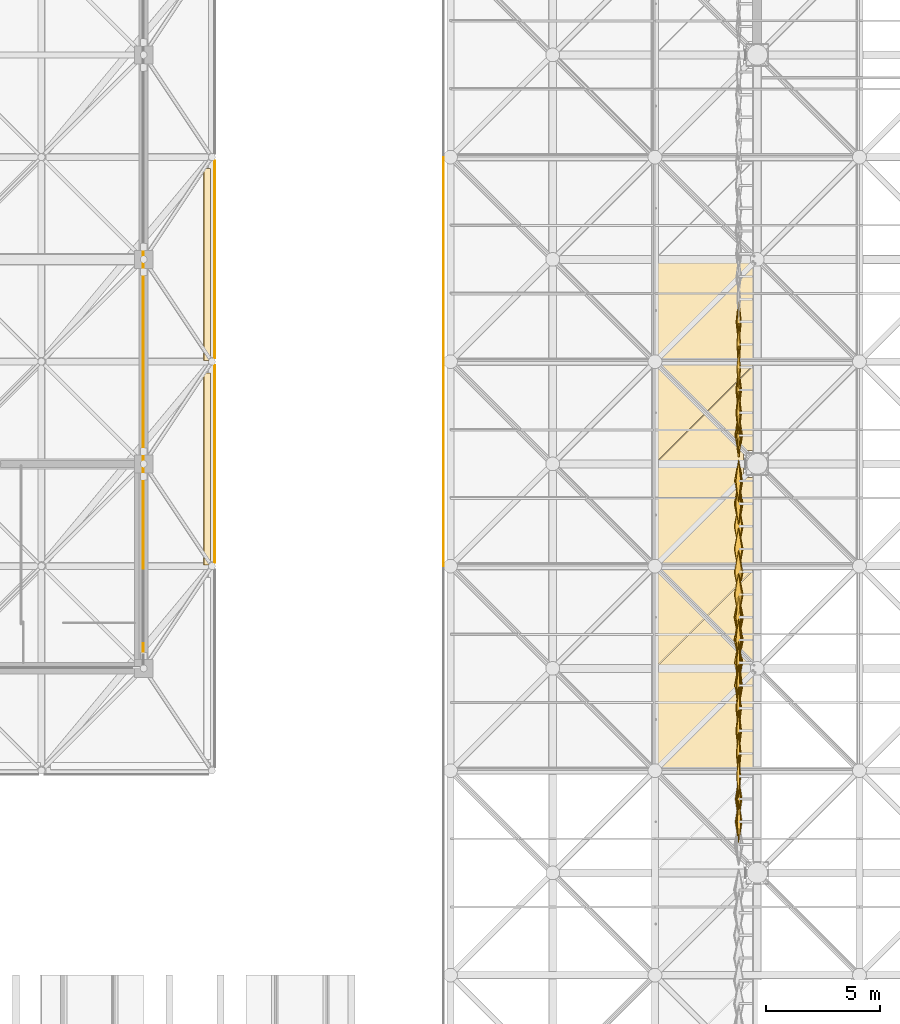
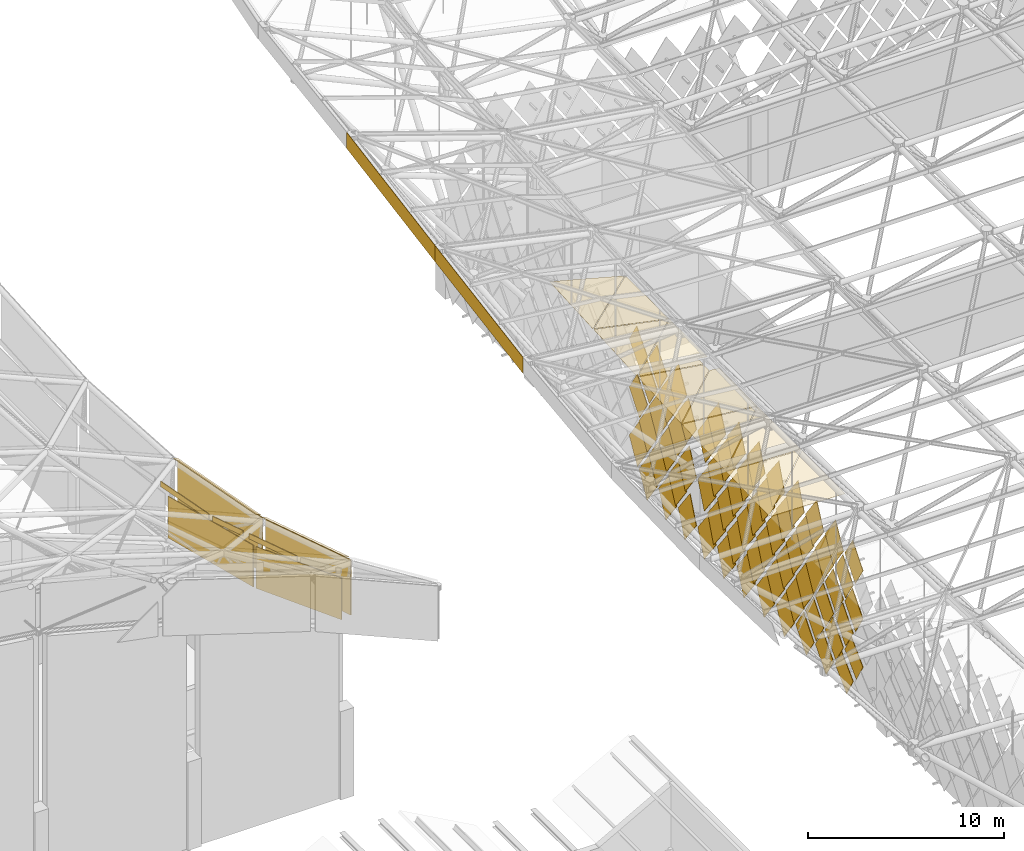
# One storey, part 412 of 437: 87 coverings.
"""IFC4 building model written with IfcOpenShell, lengths in metres."""

from ifc_helpers import new_model, si_unit, direction, frame, origin, place, context, subcontext, project, spatial, polyline, outline, extrude, material, layer, layer_set, material_profile, profile_set, type_object, element, save


model = new_model("IFC4")

# Units and contexts
model_context = context("Model", 3, precision=1e-05, world=origin(), true_north=direction((0.0, 1.0)))
body_context = subcontext(model_context, "Body", "Model", "MODEL_VIEW")
ifc_project = project(units=[si_unit("LENGTHUNIT", "METRE"), si_unit("AREAUNIT", "SQUARE_METRE"), si_unit("VOLUMEUNIT", "CUBIC_METRE"), si_unit("PLANEANGLEUNIT", "RADIAN"), si_unit("MASSUNIT", "GRAM", prefix="KILO")], contexts=[model_context])

# Site, building, storey
site_placement = place(None, origin())
site = spatial("IfcSite", under=ifc_project, at=site_placement, CompositionType="ELEMENT")
building_placement = place(site_placement, origin())
building = spatial("IfcBuilding", under=site, at=building_placement, Name="Opaline Strait Convention Centre", CompositionType="ELEMENT")
storey_placement = place(building_placement, frame((0.0, 0.0, 11.5)))
storey = spatial("IfcBuildingStorey", under=building, at=storey_placement, Name="L02", CompositionType="ELEMENT", Elevation=11.5)

# Coverings
ifc_material_1 = material(Name="White ceramic-faced aluminium tile", Category="aluminium")
ifc_material_profile_1 = material_profile(ifc_material_1, outline(polyline([(0.927978515625, 0.0), (0.0, 1.39208984375), (-0.927978515625, 0.0), (0.0, -1.39208984375), (0.927978515625, 0.0)])), Name="Diamond tile 1856x2784")
ifc_profile_set_1 = profile_set([ifc_material_profile_1], Name="White ceramic-faced aluminium tile")
covering_type_1 = type_object("IfcCoveringType", Name="Diamond wall tile 1856x2784x30 pivot 2.5 deg", PredefinedType="CLADDING", material=ifc_profile_set_1)
for number, where, z_axis, x_axis, name in (
    (1, (98.199951171875, 132.25, 3.39208984375), (-0.999174794796, 0.0, 0.040616861577), (0.0, -1.0, 0.0), "Wall tile XT05 W"),
    (2, (98.199951171875, 131.25, 4.89208984375), (-0.999174794796, 0.0, 0.040616861577), (0.0, -1.0, 0.0), "Wall tile XT05 W"),
    (3, (98.199951171875, 132.25, 6.39208984375), (-0.998812351125, 0.0, -0.048722553713), (0.0, -1.0, 0.0), "Wall tile XT05 W"),
    (4, (98.199951171875, 130.25, 6.39208984375), (-0.999174794796, 0.0, 0.040616861577), (0.0, -1.0, 0.0), "Wall tile XT05 W"),
    (5, (98.199951171875, 131.25, 7.89208984375), (-0.998812351125, 0.0, -0.048722553713), (0.0, -1.0, 0.0), "Wall tile XT05 W"),
    (6, (98.199951171875, 129.25, 7.89208984375), (-0.999174794796, 0.0, 0.040616861577), (0.0, -1.0, 0.0), "Wall tile XT05 W"),
    (7, (98.199951171875, 127.25, 7.89208984375), (-0.999174794796, 0.0, 0.040616861577), (0.0, -1.0, 0.0), "Wall tile XT05 W"),
    (8, (98.199951171875, 130.25, 9.39208984375), (-0.998812351125, 0.0, -0.048722553713), (0.0, -1.0, 0.0), "Wall tile XT05 W"),
    (9, (98.199951171875, 128.25, 9.39208984375), (-0.999174794796, 0.0, 0.040616861577), (0.0, -1.0, 0.0), "Wall tile XT05 W"),
):
    element("IfcCovering", number, at=place(storey_placement, frame(where, z_axis=z_axis, x_axis=x_axis)), inside=storey, type_object=covering_type_1, Name=name, PredefinedType="CLADDING", context=body_context, shape_type="SweptSolid", body=[
        extrude(outline(polyline([(0.927978515625, 0.0), (0.0, 1.39208984375), (-0.927978515625, 0.0), (0.0, -1.39208984375), (0.927978515625, 0.0)])), origin(), (0.0, 0.0, 1.0), 0.030029296875),
    ])
ifc_material_profile_2 = material_profile(ifc_material_1, outline(polyline([(0.927978515625, 0.0), (0.0, 1.39208984375), (-0.927978515625, 0.0), (0.0, -1.39208984375), (0.927978515625, 0.0)])), Name="Diamond tile 1856x2784")
ifc_profile_set_2 = profile_set([ifc_material_profile_2], Name="White ceramic-faced aluminium tile")
covering_type_2 = type_object("IfcCoveringType", Name="Diamond wall tile 1856x2784x30 pivot 3 deg", PredefinedType="CLADDING", material=ifc_profile_set_2)
for number, where, z_axis, x_axis, name in (
    (10, (98.199951171875, 131.25, 1.89208984375), (-0.998812351125, 0.0, 0.048722553713), (0.0, -1.0, 0.0), "Wall tile XT06 W"),
    (11, (98.199951171875, 117.25, 1.89208984375), (-0.998812351125, 0.0, 0.048722553713), (0.0, -1.0, 0.0), "Wall tile XT06 W"),
    (12, (98.199951171875, 115.25, 1.89208984375), (-0.998384516691, 0.0, -0.056818631031), (0.0, -1.0, 0.0), "Wall tile XT06 W"),
    (13, (98.199951171875, 130.25, 3.39208984375), (-0.998812351125, 0.0, 0.048722553713), (0.0, -1.0, 0.0), "Wall tile XT06 W"),
    (14, (98.199951171875, 116.25, 3.39208984375), (-0.998812351125, 0.0, 0.048722553713), (0.0, -1.0, 0.0), "Wall tile XT06 W"),
    (15, (98.199951171875, 114.25, 3.39208984375), (-0.998384516691, 0.0, -0.056818631031), (0.0, -1.0, 0.0), "Wall tile XT06 W"),
    (16, (98.199951171875, 129.25, 4.89208984375), (-0.998812351125, 0.0, 0.048722553713), (0.0, -1.0, 0.0), "Wall tile XT06 W"),
    (17, (98.199951171875, 115.25, 4.89208984375), (-0.998812351125, 0.0, 0.048722553713), (0.0, -1.0, 0.0), "Wall tile XT06 W"),
    (18, (98.199951171875, 113.25, 4.89208984375), (-0.998384516691, 0.0, -0.056818631031), (0.0, -1.0, 0.0), "Wall tile XT06 W"),
    (19, (98.199951171875, 128.25, 6.39208984375), (-0.998812351125, 0.0, 0.048722553713), (0.0, -1.0, 0.0), "Wall tile XT06 W"),
    (20, (98.199951171875, 114.25, 6.39208984375), (-0.998812351125, 0.0, 0.048722553713), (0.0, -1.0, 0.0), "Wall tile XT06 W"),
    (21, (98.199951171875, 112.25, 6.39208984375), (-0.998384516691, 0.0, -0.056818631031), (0.0, -1.0, 0.0), "Wall tile XT06 W"),
    (22, (98.199951171875, 113.25, 7.89208984375), (-0.998812351125, 0.0, 0.048722553713), (0.0, -1.0, 0.0), "Wall tile XT06 W"),
    (23, (98.199951171875, 111.25, 7.89208984375), (-0.998384516691, 0.0, -0.056818631031), (0.0, -1.0, 0.0), "Wall tile XT06 W"),
    (24, (98.199951171875, 112.25, 9.39208984375), (-0.998812351125, 0.0, 0.048722553713), (0.0, -1.0, 0.0), "Wall tile XT06 W"),
    (25, (98.199951171875, 110.25, 9.39208984375), (-0.998384516691, 0.0, -0.056818631031), (0.0, -1.0, 0.0), "Wall tile XT06 W"),
):
    element("IfcCovering", number, at=place(storey_placement, frame(where, z_axis=z_axis, x_axis=x_axis)), inside=storey, type_object=covering_type_2, Name=name, PredefinedType="CLADDING", context=body_context, shape_type="SweptSolid", body=[
        extrude(outline(polyline([(0.927978515625, 0.0), (0.0, 1.39208984375), (-0.927978515625, 0.0), (0.0, -1.39208984375), (0.927978515625, 0.0)])), origin(), (0.0, 0.0, 1.0), 0.030029296875),
    ])
ifc_material_profile_3 = material_profile(ifc_material_1, outline(polyline([(0.927978515625, 0.0), (0.0, 1.39208984375), (-0.927978515625, 0.0), (0.0, -1.39208984375), (0.927978515625, 0.0)])), Name="Diamond tile 1856x2784")
ifc_profile_set_3 = profile_set([ifc_material_profile_3], Name="White ceramic-faced aluminium tile")
covering_type_3 = type_object("IfcCoveringType", Name="Diamond wall tile 1856x2784x30 pivot 3.5 deg", PredefinedType="CLADDING", material=ifc_profile_set_3)
for number, where, z_axis, x_axis, name in (
    (26, (98.199951171875, 113.25, 1.89208984375), (-0.99785694905, 0.0, -0.065433242561), (0.0, -1.0, 0.0), "Wall tile XT07 W"),
    (27, (98.199951171875, 112.25, 3.39208984375), (-0.99785694905, 0.0, -0.065433242561), (0.0, -1.0, 0.0), "Wall tile XT07 W"),
    (28, (98.199951171875, 111.25, 4.89208984375), (-0.99785694905, 0.0, -0.065433242561), (0.0, -1.0, 0.0), "Wall tile XT07 W"),
    (29, (98.199951171875, 110.25, 6.39208984375), (-0.99785694905, 0.0, -0.065433242561), (0.0, -1.0, 0.0), "Wall tile XT07 W"),
):
    element("IfcCovering", number, at=place(storey_placement, frame(where, z_axis=z_axis, x_axis=x_axis)), inside=storey, type_object=covering_type_3, Name=name, PredefinedType="CLADDING", context=body_context, shape_type="SweptSolid", body=[
        extrude(outline(polyline([(0.927978515625, 0.0), (0.0, 1.39208984375), (-0.927978515625, 0.0), (0.0, -1.39208984375), (0.927978515625, 0.0)])), origin(), (0.0, 0.0, 1.0), 0.02978515625),
    ])
ifc_material_profile_4 = material_profile(ifc_material_1, outline(polyline([(0.927978515625, 0.0), (0.0, 1.39208984375), (-0.927978515625, 0.0), (0.0, -1.39208984375), (0.927978515625, 0.0)])), Name="Diamond tile 1856x2784")
ifc_profile_set_4 = profile_set([ifc_material_profile_4], Name="White ceramic-faced aluminium tile")
covering_type_4 = type_object("IfcCoveringType", Name="Diamond wall tile 1856x2784x30 pivot 4 deg", PredefinedType="CLADDING", material=ifc_profile_set_4)
covering_1_placement = place(storey_placement, frame((98.199951171875, 132.25, 9.39208984375), z_axis=(-0.997290013252, 0.0, -0.073570574748), x_axis=(0.0, -1.0, 0.0)))
element("IfcCovering", 30, at=covering_1_placement, inside=storey, type_object=covering_type_4, Name="Wall tile XT08 W", PredefinedType="CLADDING", context=body_context, shape_type="SweptSolid", body=[
    extrude(outline(polyline([(0.927978515625, 0.0), (0.0, 1.39208984375), (-0.927978515625, 0.0), (0.0, -1.39208984375), (0.927978515625, 0.0)])), origin(), (0.0, 0.0, 1.0), 0.02978515625),
])
ifc_material_profile_5 = material_profile(ifc_material_1, outline(polyline([(0.927978515625, 0.0), (0.0, 1.39208984375), (-0.927978515625, 0.0), (0.0, -1.39208984375), (0.927978515625, 0.0)])), Name="Diamond tile 1856x2784")
ifc_profile_set_5 = profile_set([ifc_material_profile_5], Name="White ceramic-faced aluminium tile")
covering_type_5 = type_object("IfcCoveringType", Name="Diamond wall tile 1856x2784x30 pivot 4.5 deg", PredefinedType="CLADDING", material=ifc_profile_set_5)
for number, where, z_axis, x_axis, name in (
    (31, (98.199951171875, 119.25, 1.89208984375), (-0.997290013252, 0.0, 0.073570574748), (0.0, -1.0, 0.0), "Wall tile XT09 W"),
    (32, (98.199951171875, 118.25, 3.39208984375), (-0.997290013252, 0.0, 0.073570574748), (0.0, -1.0, 0.0), "Wall tile XT09 W"),
    (33, (98.199951171875, 117.25, 4.89208984375), (-0.997290013252, 0.0, 0.073570574748), (0.0, -1.0, 0.0), "Wall tile XT09 W"),
    (34, (98.199951171875, 125.25, 7.89208984375), (-0.997290013252, 0.0, 0.073570574748), (0.0, -1.0, 0.0), "Wall tile XT09 W"),
):
    element("IfcCovering", number, at=place(storey_placement, frame(where, z_axis=z_axis, x_axis=x_axis)), inside=storey, type_object=covering_type_5, Name=name, PredefinedType="CLADDING", context=body_context, shape_type="SweptSolid", body=[
        extrude(outline(polyline([(0.927978515625, 0.0), (0.0, 1.39208984375), (-0.927978515625, 0.0), (0.0, -1.39208984375), (0.927978515625, 0.0)])), origin(), (0.0, 0.0, 1.0), 0.02978515625),
    ])
ifc_material_profile_6 = material_profile(ifc_material_1, outline(polyline([(0.927978515625, 0.0), (0.0, 1.39208984375), (-0.927978515625, 0.0), (0.0, -1.39208984375), (0.927978515625, 0.0)])), Name="Diamond tile 1856x2784")
ifc_profile_set_6 = profile_set([ifc_material_profile_6], Name="White ceramic-faced aluminium tile")
covering_type_6 = type_object("IfcCoveringType", Name="Diamond wall tile 1856x2784x30 pivot 5 deg", PredefinedType="CLADDING", material=ifc_profile_set_6)
for number, where, z_axis, x_axis, name in (
    (35, (98.199951171875, 129.25, 1.89208984375), (-0.996657521232, 0.0, 0.081693239445), (0.0, -1.0, 0.0), "Wall tile XT10 W"),
    (36, (98.199951171875, 128.25, 3.39208984375), (-0.996657521232, 0.0, 0.081693239445), (0.0, -1.0, 0.0), "Wall tile XT10 W"),
    (37, (98.199951171875, 127.25, 4.89208984375), (-0.996657521232, 0.0, 0.081693239445), (0.0, -1.0, 0.0), "Wall tile XT10 W"),
    (38, (98.199951171875, 116.25, 6.39208984375), (-0.996657521232, 0.0, 0.081693239445), (0.0, -1.0, 0.0), "Wall tile XT10 W"),
    (39, (98.199951171875, 115.25, 7.89208984375), (-0.996657521232, 0.0, 0.081693239445), (0.0, -1.0, 0.0), "Wall tile XT10 W"),
    (40, (98.199951171875, 124.25, 9.39208984375), (-0.996657521232, 0.0, 0.081693239445), (0.0, -1.0, 0.0), "Wall tile XT10 W"),
    (41, (98.199951171875, 114.25, 9.39208984375), (-0.996657521232, 0.0, 0.081693239445), (0.0, -1.0, 0.0), "Wall tile XT10 W"),
):
    element("IfcCovering", number, at=place(storey_placement, frame(where, z_axis=z_axis, x_axis=x_axis)), inside=storey, type_object=covering_type_6, Name=name, PredefinedType="CLADDING", context=body_context, shape_type="SweptSolid", body=[
        extrude(outline(polyline([(0.927978515625, 0.0), (0.0, 1.39208984375), (-0.927978515625, 0.0), (0.0, -1.39208984375), (0.927978515625, 0.0)])), origin(), (0.0, 0.0, 1.0), 0.02978515625),
    ])
ifc_material_profile_7 = material_profile(ifc_material_1, outline(polyline([(0.927978515625, 0.0), (0.0, 1.39208984375), (-0.927978515625, 0.0), (0.0, -1.39208984375), (0.927978515625, 0.0)])), Name="Diamond tile 1856x2784")
ifc_profile_set_7 = profile_set([ifc_material_profile_7], Name="White ceramic-faced aluminium tile")
covering_type_7 = type_object("IfcCoveringType", Name="Diamond wall tile 1856x2784x30 pivot 6 deg", PredefinedType="CLADDING", material=ifc_profile_set_7)
for number, where, z_axis, x_axis, name in (
    (42, (98.199951171875, 121.25, 1.89208984375), (-0.995197410875, 0.0, 0.097888269922), (0.0, -1.0, 0.0), "Wall tile XT12 W"),
    (43, (98.199951171875, 111.25, 1.89208984375), (-0.994370656274, 0.0, -0.105957528947), (0.0, -1.0, 0.0), "Wall tile XT12 W"),
    (44, (98.199951171875, 120.25, 3.39208984375), (-0.995197410875, 0.0, 0.097888269922), (0.0, -1.0, 0.0), "Wall tile XT12 W"),
    (45, (98.199951171875, 110.25, 3.39208984375), (-0.994370656274, 0.0, -0.105957528947), (0.0, -1.0, 0.0), "Wall tile XT12 W"),
):
    element("IfcCovering", number, at=place(storey_placement, frame(where, z_axis=z_axis, x_axis=x_axis)), inside=storey, type_object=covering_type_7, Name=name, PredefinedType="CLADDING", context=body_context, shape_type="SweptSolid", body=[
        extrude(outline(polyline([(0.927978515625, 0.0), (0.0, 1.39208984375), (-0.927978515625, 0.0), (0.0, -1.39208984375), (0.927978515625, 0.0)])), origin(), (0.0, 0.0, 1.0), 0.030029296875),
    ])
ifc_material_profile_8 = material_profile(ifc_material_1, outline(polyline([(0.927978515625, 0.0), (0.0, 1.39208984375), (-0.927978515625, 0.0), (0.0, -1.39208984375), (0.927978515625, 0.0)])), Name="Diamond tile 1856x2784")
ifc_profile_set_8 = profile_set([ifc_material_profile_8], Name="White ceramic-faced aluminium tile")
covering_type_8 = type_object("IfcCoveringType", Name="Diamond wall tile 1856x2784x30 pivot 6.5 deg", PredefinedType="CLADDING", material=ifc_profile_set_8)
for number, where, z_axis, x_axis, name in (
    (46, (98.199951171875, 127.25, 1.89208984375), (-0.993480071526, 0.0, 0.114005909847), (0.0, -1.0, 0.0), "Wall tile XT13 W"),
    (47, (98.199951171875, 125.25, 4.89208984375), (-0.993480071526, 0.0, 0.114005909847), (0.0, -1.0, 0.0), "Wall tile XT13 W"),
    (48, (98.199951171875, 119.25, 4.89208984375), (-0.993480071526, 0.0, 0.114005909847), (0.0, -1.0, 0.0), "Wall tile XT13 W"),
    (49, (98.199951171875, 124.25, 6.39208984375), (-0.993480071526, 0.0, 0.114005909847), (0.0, -1.0, 0.0), "Wall tile XT13 W"),
    (50, (98.199951171875, 118.25, 6.39208984375), (-0.993480071526, 0.0, 0.114005909847), (0.0, -1.0, 0.0), "Wall tile XT13 W"),
    (51, (98.199951171875, 123.25, 7.89208984375), (-0.993480071526, 0.0, 0.114005909847), (0.0, -1.0, 0.0), "Wall tile XT13 W"),
    (52, (98.199951171875, 122.25, 9.39208984375), (-0.993480071526, 0.0, 0.114005909847), (0.0, -1.0, 0.0), "Wall tile XT13 W"),
):
    element("IfcCovering", number, at=place(storey_placement, frame(where, z_axis=z_axis, x_axis=x_axis)), inside=storey, type_object=covering_type_8, Name=name, PredefinedType="CLADDING", context=body_context, shape_type="SweptSolid", body=[
        extrude(outline(polyline([(0.927978515625, 0.0), (0.0, 1.39208984375), (-0.927978515625, 0.0), (0.0, -1.39208984375), (0.927978515625, 0.0)])), origin(), (0.0, 0.0, 1.0), 0.030029296875),
    ])
ifc_material_profile_9 = material_profile(ifc_material_1, outline(polyline([(0.927978515625, 0.0), (0.0, 1.39208984375), (-0.927978515625, 0.0), (0.0, -1.39208984375), (0.927978515625, 0.0)])), Name="Diamond tile 1856x2784")
ifc_profile_set_9 = profile_set([ifc_material_profile_9], Name="White ceramic-faced aluminium tile")
covering_type_9 = type_object("IfcCoveringType", Name="Diamond wall tile 1856x2784x30 pivot 7 deg", PredefinedType="CLADDING", material=ifc_profile_set_9)
for number, where, z_axis, x_axis, name in (
    (53, (98.199951171875, 125.25, 1.89208984375), (-0.992526177815, 0.0, 0.122031907108), (0.0, -1.0, 0.0), "Wall tile XT14 W"),
    (54, (98.199951171875, 123.25, 1.89208984375), (-0.992526177815, 0.0, 0.122031907108), (0.0, -1.0, 0.0), "Wall tile XT14 W"),
    (55, (98.199951171875, 122.25, 3.39208984375), (-0.992526177815, 0.0, 0.122031907108), (0.0, -1.0, 0.0), "Wall tile XT14 W"),
    (56, (98.199951171875, 117.25, 7.89208984375), (-0.992526177815, 0.0, 0.122031907108), (0.0, -1.0, 0.0), "Wall tile XT14 W"),
    (57, (98.199951171875, 116.25, 9.39208984375), (-0.992526177815, 0.0, 0.122031907108), (0.0, -1.0, 0.0), "Wall tile XT14 W"),
):
    element("IfcCovering", number, at=place(storey_placement, frame(where, z_axis=z_axis, x_axis=x_axis)), inside=storey, type_object=covering_type_9, Name=name, PredefinedType="CLADDING", context=body_context, shape_type="SweptSolid", body=[
        extrude(outline(polyline([(0.927978515625, 0.0), (0.0, 1.39208984375), (-0.927978515625, 0.0), (0.0, -1.39208984375), (0.927978515625, 0.0)])), origin(), (0.0, 0.0, 1.0), 0.030029296875),
    ])
ifc_material_profile_10 = material_profile(ifc_material_1, outline(polyline([(0.927978515625, 0.0), (0.0, 1.39208984375), (-0.927978515625, 0.0), (0.0, -1.39208984375), (0.927978515625, 0.0)])), Name="Diamond tile 1856x2784")
ifc_profile_set_10 = profile_set([ifc_material_profile_10], Name="White ceramic-faced aluminium tile")
covering_type_10 = type_object("IfcCoveringType", Name="Diamond wall tile 1856x2784x30 pivot 7.5 deg", PredefinedType="CLADDING", material=ifc_profile_set_10)
for number, where, z_axis, x_axis, name in (
    (58, (98.199951171875, 124.25, 3.39208984375), (-0.991509530601, 0.0, 0.1300340368), (0.0, -1.0, 0.0), "Wall tile XT15 W"),
    (59, (98.199951171875, 123.25, 4.89208984375), (-0.991509530601, 0.0, 0.1300340368), (0.0, -1.0, 0.0), "Wall tile XT15 W"),
    (60, (98.199951171875, 121.25, 4.89208984375), (-0.991509530601, 0.0, 0.1300340368), (0.0, -1.0, 0.0), "Wall tile XT15 W"),
    (61, (98.199951171875, 122.25, 6.39208984375), (-0.991509530601, 0.0, 0.1300340368), (0.0, -1.0, 0.0), "Wall tile XT15 W"),
    (62, (98.199951171875, 120.25, 6.39208984375), (-0.991509530601, 0.0, 0.1300340368), (0.0, -1.0, 0.0), "Wall tile XT15 W"),
    (63, (98.199951171875, 121.25, 7.89208984375), (-0.991509530601, 0.0, 0.1300340368), (0.0, -1.0, 0.0), "Wall tile XT15 W"),
    (64, (98.199951171875, 120.25, 9.39208984375), (-0.991509530601, 0.0, 0.1300340368), (0.0, -1.0, 0.0), "Wall tile XT15 W"),
):
    element("IfcCovering", number, at=place(storey_placement, frame(where, z_axis=z_axis, x_axis=x_axis)), inside=storey, type_object=covering_type_10, Name=name, PredefinedType="CLADDING", context=body_context, shape_type="SweptSolid", body=[
        extrude(outline(polyline([(0.927978515625, 0.0), (0.0, 1.39208984375), (-0.927978515625, 0.0), (0.0, -1.39208984375), (0.927978515625, 0.0)])), origin(), (0.0, 0.0, 1.0), 0.030029296875),
    ])
ifc_material_profile_11 = material_profile(ifc_material_1, outline(polyline([(0.927978515625, 0.0), (0.0, 1.39208984375), (-0.927978515625, 0.0), (0.0, -1.39208984375), (0.927978515625, 0.0)])), Name="Diamond tile 1856x2784")
ifc_profile_set_11 = profile_set([ifc_material_profile_11], Name="White ceramic-faced aluminium tile")
covering_type_11 = type_object("IfcCoveringType", Name="Diamond wall tile 1856x2784x30 pivot 8 deg", PredefinedType="CLADDING", material=ifc_profile_set_11)
for number, where, z_axis, x_axis, name in (
    (65, (98.199951171875, 119.25, 7.89208984375), (-0.990274204789, 0.0, 0.139129433731), (0.0, -1.0, 0.0), "Wall tile XT16 W"),
    (66, (98.199951171875, 118.25, 9.39208984375), (-0.990274204789, 0.0, 0.139129433731), (0.0, -1.0, 0.0), "Wall tile XT16 W"),
):
    element("IfcCovering", number, at=place(storey_placement, frame(where, z_axis=z_axis, x_axis=x_axis)), inside=storey, type_object=covering_type_11, Name=name, PredefinedType="CLADDING", context=body_context, shape_type="SweptSolid", body=[
        extrude(outline(polyline([(0.927978515625, 0.0), (0.0, 1.39208984375), (-0.927978515625, 0.0), (0.0, -1.39208984375), (0.927978515625, 0.0)])), origin(), (0.0, 0.0, 1.0), 0.02978515625),
    ])
ifc_material_2 = material(Name="White aluminium fascia plate", Category="aluminium")
ifc_layer_1 = layer(ifc_material_2, 0.02001953125)
ifc_layer_set_1 = layer_set([ifc_layer_1], Name="White aluminium fascia plate")
covering_type_12 = type_object("IfcCoveringType", Name="Edge fascia plate 20 aluminium", PredefinedType="CLADDING", material=ifc_layer_set_1)
covering_2_placement = place(storey_placement, frame((85.199951171875, 135.0, 21.65966796875), z_axis=(-1.0, 0.0, 0.0), x_axis=(0.0, -1.0, 0.0)))
element("IfcCovering", 67, at=covering_2_placement, inside=storey, type_object=covering_type_12, Name="Edge fascia plate W", PredefinedType="CLADDING", context=body_context, shape_type="SweptSolid", body=[
    extrude(outline(polyline([(-4.5, 1.29248046875), (4.5, -0.29248046875), (4.5, -1.29248046875), (-4.5, 0.29248046875), (-4.5, 1.29248046875)])), origin(), (0.0, 0.0, 1.0), 0.02001953125),
])
covering_3_placement = place(storey_placement, frame((85.199951171875, 126.0, 20.103515625), z_axis=(-1.0, 0.0, 0.0), x_axis=(0.0, -1.0, 0.0)))
element("IfcCovering", 68, at=covering_3_placement, inside=storey, type_object=covering_type_12, Name="Edge fascia plate W", PredefinedType="CLADDING", context=body_context, shape_type="SweptSolid", body=[
    extrude(outline(polyline([(-4.5, 1.263671875), (4.5, -0.263671875), (4.5, -1.263671875), (-4.5, 0.263671875), (-4.5, 1.263671875)])), origin(), (0.0, 0.0, 1.0), 0.02001953125),
])
ifc_material_3 = material(Name="Standing seam aluminium edge flashing, white", Category="aluminium")
ifc_layer_2 = layer(ifc_material_3, 0.030029296875)
ifc_layer_set_2 = layer_set([ifc_layer_2], Name="Standing seam aluminium edge flashing, white")
covering_type_13 = type_object("IfcCoveringType", Name="Shell edge flashing 30", PredefinedType="ROOFING", material=ifc_layer_set_2)
covering_4_placement = place(storey_placement, frame((74.64990234375, 121.550048828125, 11.14306640625), z_axis=(0.382313646197, 0.279590235399, 0.880718783836), x_axis=(0.917311944614, -9.1908129e-05, -0.398169295428)))
element("IfcCovering", 69, at=covering_4_placement, inside=storey, type_object=covering_type_13, Name="PEF1 edge flashing 4", PredefinedType="ROOFING", context=body_context, shape_type="SweptSolid", body=[
    extrude(outline(polyline([(0.0, 0.0), (0.32705093124842793, -6.938893903907228e-18), (1.3944101074963857, 8.801071193841297), (1.0672619669473162, 8.801008570159592), (0.0, 0.0)])), origin(), (0.0, 0.0, -1.0), 0.030029296875),
])
covering_5_placement = place(storey_placement, frame((74.64990234375, 130.550048828125, 8.28564453125), z_axis=(0.392251562913, 0.172114766869, 0.903612316438), x_axis=(0.917305328634, -5.8049027e-05, -0.398184543509)))
element("IfcCovering", 70, at=covering_5_placement, inside=storey, type_object=covering_type_13, Name="PEF1 edge flashing 6", PredefinedType="ROOFING", context=body_context, shape_type="SweptSolid", body=[
    extrude(outline(polyline([(0.0, 0.0), (0.32705093031782817, 0.0), (0.9674858816102425, 8.57801793224601), (0.6403377382690967, 8.577979381327404), (0.0, 0.0)])), origin(), (0.0, 0.0, -1.0), 0.030029296875),
])
ifc_material_4 = material(Name="Aluminium composite cladding panel, white", Category="aluminium")
ifc_layer_3 = layer(ifc_material_4, 0.0400390625)
ifc_layer_set_3 = layer_set([ifc_layer_3], Name="Aluminium composite cladding panel, white")
covering_type_14 = type_object("IfcCoveringType", Name="Shell edge frieze panel 40", PredefinedType="CLADDING", material=ifc_layer_set_3)
covering_6_placement = place(storey_placement, frame((72.0, 117.14990234375, 10.774658203125), z_axis=(1.0, 0.0, 0.0), x_axis=(0.0, 0.934484411572, -0.356004051282)))
element("IfcCovering", 71, at=covering_6_placement, inside=storey, type_object=covering_type_14, Name="PFR1 frieze panel E 1", PredefinedType="CLADDING", context=body_context, shape_type="SweptSolid", body=[
    extrude(outline(polyline([(0.0, 0.0), (9.310155637446092, 4.440892098500626e-16), (8.387291619741998, 2.422450068864402), (-0.9227771026525121, 2.422221923256108), (0.0, 0.0)])), origin(), (0.0, 0.0, -1.0), 0.0400390625),
])
covering_7_placement = place(storey_placement, frame((72.0, 126.14990234375, 7.35986328125), z_axis=(1.0, 0.0, 0.0), x_axis=(0.0, 0.969233447146, -0.246143301624)))
element("IfcCovering", 72, at=covering_7_placement, inside=storey, type_object=covering_type_14, Name="PFR1 frieze panel E 2", PredefinedType="CLADDING", context=body_context, shape_type="SweptSolid", body=[
    extrude(outline(polyline([(0.0, 0.0), (8.976367188031215, 0.0), (8.337031595751883, 2.5174986924272122), (-0.6393355922793319, 2.5174986924272122), (0.0, 0.0)])), origin(), (0.0, 0.0, -1.0), 0.0400390625),
])
covering_8_placement = place(storey_placement, frame((72.0, 121.699951171875, 11.646240234375), z_axis=(1.0, 0.0, 0.0), x_axis=(0.0, 0.953120788943, -0.302590088543)))
element("IfcCovering", 73, at=covering_8_placement, inside=storey, type_object=covering_type_14, Name="PFR1 frieze strip E 3", PredefinedType="CLADDING", context=body_context, shape_type="SweptSolid", body=[
    extrude(outline(polyline([(0.0, 0.0), (5.141160009539353, 0.0), (5.039804149802797, 0.31925823301512946), (-0.10135585973655543, 0.3192582330151293), (0.0, 0.0)])), origin(), (0.0, 0.0, -1.0), 0.0400390625),
])
covering_9_placement = place(storey_placement, frame((72.0, 127.199951171875, 9.900146484375), z_axis=(1.0, 0.0, 0.0), x_axis=(0.0, 0.95312667237, -0.302571555861)))
element("IfcCovering", 74, at=covering_9_placement, inside=storey, type_object=covering_type_14, Name="PFR1 frieze strip E 4", PredefinedType="CLADDING", context=body_context, shape_type="SweptSolid", body=[
    extrude(outline(polyline([(0.0, 0.0), (3.2525557684167263, -1.1102230246251565e-16), (3.1512061164046425, 0.31926020373342556), (-0.1013496520120837, 0.3192602037334257), (0.0, 0.0)])), origin(), (0.0, 0.0, -1.0), 0.0400390625),
])
covering_10_placement = place(storey_placement, frame((72.0, 130.699951171875, 8.814453125), z_axis=(1.0, 0.0, 0.0), x_axis=(0.0, 0.982338994807, -0.187109858858)))
element("IfcCovering", 75, at=covering_10_placement, inside=storey, type_object=covering_type_14, Name="PFR1 frieze strip E 5", PredefinedType="CLADDING", context=body_context, shape_type="SweptSolid", body=[
    extrude(outline(polyline([(0.0, 0.0), (4.9882438855426, 0.0), (4.925569391803908, 0.32904519064328774), (-0.06267449373869209, 0.32904519064328774), (0.0, 0.0)])), origin(), (0.0, 0.0, -1.0), 0.0400390625),
])
covering_11_placement = place(storey_placement, frame((75.1494140625, 121.64990234375, 7.22900390625), z_axis=(1.0, 0.0, 0.0), x_axis=(0.0, 0.95312438958, -0.302578746754)))
element("IfcCovering", 76, at=covering_11_placement, inside=storey, type_object=covering_type_14, Name="PFR1 fascia panel E 2", PredefinedType="CLADDING", context=body_context, shape_type="SweptSolid", body=[
    extrude(outline(polyline([(0.0, 0.0), (9.128079616482133, 0.0), (8.081907689839369, 3.2954461926846554), (-1.046098054878419, 3.2952134963004807), (0.0, 0.0)])), origin(), (0.0, 0.0, -1.0), 0.0400390625),
])
covering_12_placement = place(storey_placement, frame((75.1494140625, 130.64990234375, 4.39111328125), z_axis=(1.0, 0.0, 0.0), x_axis=(0.0, 0.982337601302, -0.187117174701)))
element("IfcCovering", 77, at=covering_12_placement, inside=storey, type_object=covering_type_14, Name="PFR1 fascia panel E 3", PredefinedType="CLADDING", context=body_context, shape_type="SweptSolid", body=[
    extrude(outline(polyline([(0.0, 0.0), (8.85662454635526, 0.0), (8.209708943098809, 3.3962116142673717), (-0.6469156032564519, 3.3962116142673717), (0.0, 0.0)])), origin(), (0.0, 0.0, -1.0), 0.0400390625),
])
ifc_material_5 = material(Name="White aluminium soffit panel", Category="aluminium")
ifc_layer_4 = layer(ifc_material_5, 0.011962890625)
ifc_layer_set_4 = layer_set([ifc_layer_4], Name="White aluminium soffit panel")
covering_type_15 = type_object("IfcCoveringType", Name="Soffit lining panel 12 aluminium", PredefinedType="CEILING", material=ifc_layer_set_4)
covering_13_placement = place(storey_placement, frame((94.54833984375, 112.52001953125, 12.105712890625), z_axis=(0.02599385811, 0.0, 0.999662102583), x_axis=(0.706987286129, 0.706987286129, -0.018383538952)))
element("IfcCovering", 78, at=covering_13_placement, inside=storey, type_object=covering_type_15, Name="Soffit lining panel", PredefinedType="CEILING", context=body_context, shape_type="SweptSolid", body=[
    extrude(outline(polyline([(0.0, 0.0), (6.2683455727554165, -1.2923689896027213e-16), (3.135231994188407, -3.1341726073956777), (0.0, 0.0)])), origin(), (0.0, 0.0, -1.0), 0.011962890625),
])
covering_14_placement = place(storey_placement, frame((94.52001953125, 112.54833984375, 12.107421875), z_axis=(0.0509863853, -0.024970678453, 0.998387126185), x_axis=(0.0, 0.999687371154, 0.025003198904)))
element("IfcCovering", 79, at=covering_14_placement, inside=storey, type_object=covering_type_15, Name="Soffit lining panel", PredefinedType="CEILING", context=body_context, shape_type="SweptSolid", body=[
    extrude(outline(polyline([(0.0, 0.0), (4.433026516964783, -8.673617379884035e-19), (4.427367834009722, -4.437412152172457), (0.0, 0.0)])), origin(), (0.0, 0.0, -1.0), 0.011962890625),
])
covering_15_placement = place(storey_placement, frame((94.54833984375, 117.02001953125, 12.21728515625), z_axis=(0.05100228863, 0.0, 0.998698536373), x_axis=(0.706646194878, 0.706646194878, -0.036087539811)))
element("IfcCovering", 80, at=covering_15_placement, inside=storey, type_object=covering_type_15, Name="Soffit lining panel", PredefinedType="CEILING", context=body_context, shape_type="SweptSolid", body=[
    extrude(outline(polyline([(0.0, 0.0), (6.271371242247661, -3.8510861166685117e-16), (3.1397692575257983, -3.135682962041361), (0.0, 0.0)])), origin(), (0.0, 0.0, -1.0), 0.011962890625),
])
covering_16_placement = place(storey_placement, frame((94.52001953125, 117.04833984375, 12.215087890625), z_axis=(0.10013004148, -0.049435444208, 0.993745496417), x_axis=(0.0, 0.998764930539, 0.049685143911)))
element("IfcCovering", 81, at=covering_16_placement, inside=storey, type_object=covering_type_15, Name="Soffit lining panel", PredefinedType="CEILING", context=body_context, shape_type="SweptSolid", body=[
    extrude(outline(polyline([(0.0, 0.0), (4.4371207773670145, 0.0), (4.414934710908605, -4.454024956048022), (0.0, 0.0)])), origin(), (0.0, 0.0, -1.0), 0.011962890625),
])
covering_17_placement = place(storey_placement, frame((94.54833984375, 121.52001953125, 12.4375), z_axis=(0.100314471774, -8.759874e-06, 0.994955781267), x_axis=(0.705316619726, 0.705317239572, -0.071105959665)))
element("IfcCovering", 82, at=covering_17_placement, inside=storey, type_object=covering_type_15, Name="Soffit lining panel", PredefinedType="CEILING", context=body_context, shape_type="SweptSolid", body=[
    extrude(outline(polyline([(0.0, 0.0), (5.500904550624454, -1.8388068845354155e-16), (5.894026552427426, -0.3911396963388884), (3.1574783172505048, -3.1415568272715495), (0.0, 0.0)])), origin(), (0.0, 0.0, -1.0), 0.011962890625),
])
covering_18_placement = place(storey_placement, frame((98.39990234375, 125.42822265625, 12.03271484375), z_axis=(0.148629655309, -0.049160931094, 0.987670202252), x_axis=(-0.705322782879, -0.705318367118, 0.071033604432)))
element("IfcCovering", 83, at=covering_18_placement, inside=storey, type_object=covering_type_15, Name="Soffit lining panel", PredefinedType="CEILING", context=body_context, shape_type="SweptSolid", body=[
    extrude(outline(polyline([(0.0, 0.0), (5.500887196396279, 4.996003610813204e-16), (2.390829663408856, -3.1647405769459214), (-0.38720525204710654, -0.394042958405341), (0.0, 0.0)])), origin(), (0.0, 0.0, -1.0), 0.011962890625),
])
covering_19_placement = place(storey_placement, frame((98.97998046875, 126.60009765625, 11.976318359375), z_axis=(0.148824877536, 2.2325263e-05, 0.988863567601), x_axis=(-0.988863567847, -3.765e-09, 0.148824877573)))
element("IfcCovering", 84, at=covering_19_placement, inside=storey, type_object=covering_type_15, Name="Soffit lining panel", PredefinedType="CEILING", context=body_context, shape_type="SweptSolid", body=[
    extrude(outline(polyline([(0.0, 0.0), (0.5866257674257682, -4.235164736271502e-22), (0.5866257696099212, 0.5800781248554394), (4.481552992684831, 0.5800781085594071), (-1.4502187622689144e-08, -3.8515624990401567), (0.0, 0.0)])), origin(), (0.0, 0.0, -1.0), 0.011962890625),
])
covering_20_placement = place(storey_placement, frame((94.52001953125, 126.04833984375, 12.628662109375), z_axis=(0.204409821975, -0.057333805742, 0.977204921907), x_axis=(0.0, 0.998283274784, 0.058570498438)))
element("IfcCovering", 85, at=covering_20_placement, inside=storey, type_object=covering_type_15, Name="Soffit lining panel", PredefinedType="CEILING", context=body_context, shape_type="SweptSolid", body=[
    extrude(outline(polyline([(0.0, 0.0), (4.439261617360567, 6.938893903907228e-18), (4.384966650913139, -4.52723130697631), (0.0, 0.0)])), origin(), (0.0, 0.0, -1.0), 0.011962890625),
])
covering_21_placement = place(storey_placement, frame((94.54833984375, 130.52001953125, 12.886474609375), z_axis=(0.20479827884, 0.0, 0.978804201556), x_axis=(0.699492538259, 0.699492538259, -0.146357021833)))
element("IfcCovering", 86, at=covering_21_placement, inside=storey, type_object=covering_type_15, Name="Soffit lining panel", PredefinedType="CEILING", context=body_context, shape_type="SweptSolid", body=[
    extrude(outline(polyline([(0.0, 0.0), (6.3355080756538715, 1.1102230246251565e-16), (3.2356085262205836, -3.1670272200556937), (0.0, 0.0)])), origin(), (0.0, 0.0, -1.0), 0.011962890625),
])
covering_22_placement = place(storey_placement, frame((94.52001953125, 130.54833984375, 12.873779296875), z_axis=(0.25831448688, -0.056582667324, 0.964402419961), x_axis=(0.0, 0.998283274784, 0.058570498438)))
element("IfcCovering", 87, at=covering_22_placement, inside=storey, type_object=covering_type_15, Name="Soffit lining panel", PredefinedType="CEILING", context=body_context, shape_type="SweptSolid", body=[
    extrude(outline(polyline([(0.0, 0.0), (4.439261617360567, 0.0), (4.3697377493417635, -4.587330583397704), (0.0, 0.0)])), origin(), (0.0, 0.0, -1.0), 0.011962890625),
])

save(model, "model.ifc")
